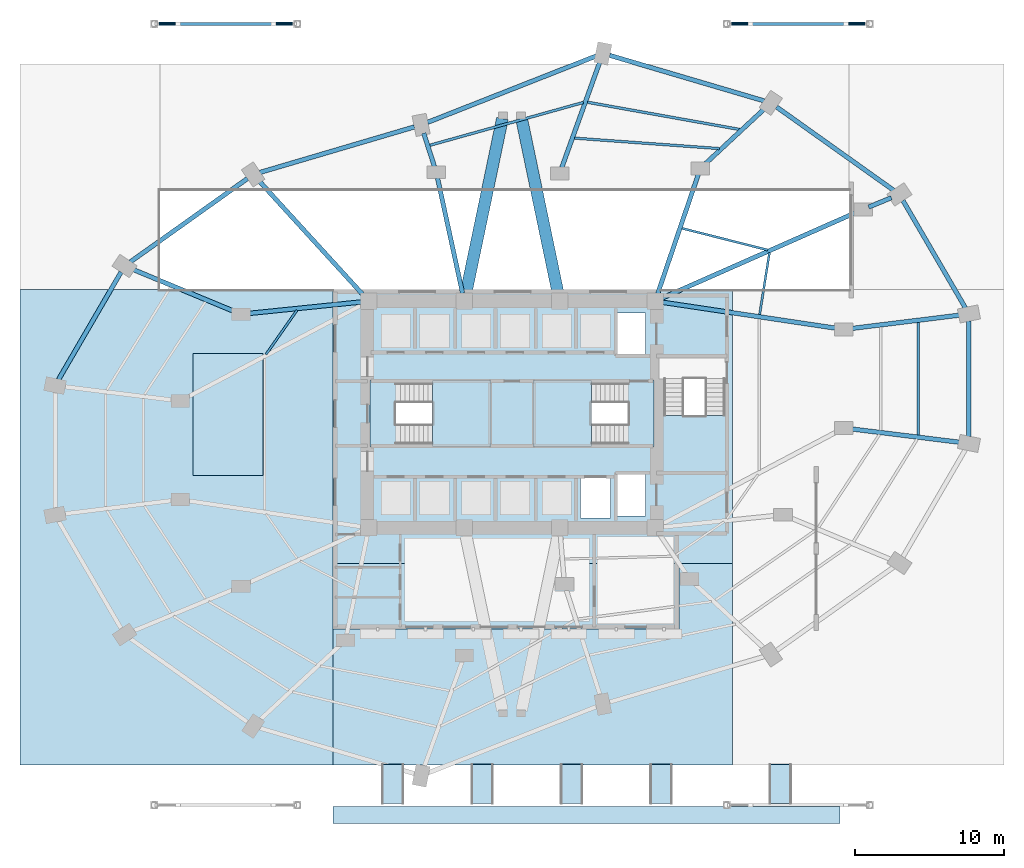
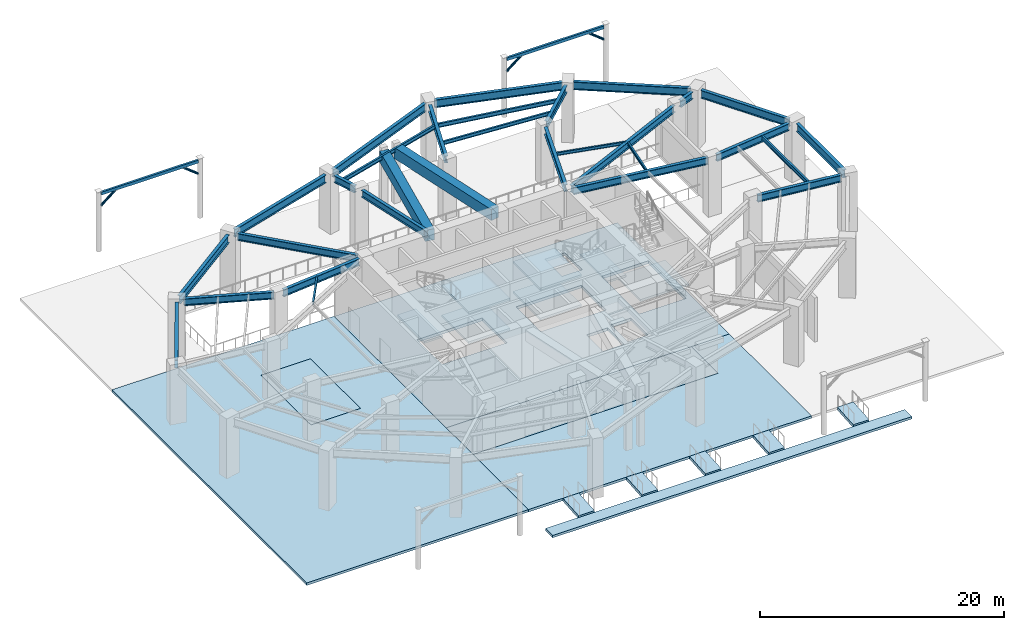
# One storey, part 6 of 14: 32 beams, 18 slabs, 4 members, 3 elements without a shape of their own.
"""IFC4 building model written with IfcOpenShell, lengths in metres."""

from ifc_helpers import new_model, si_unit, direction, frame, origin, origin_2d, place, context, subcontext, project, spatial, polyline, rectangle, hollow_rectangle, hollow_circle, i_section, outline, extrude, material, layer, layer_set, material_profile, profile_set, type_object, element, aggregate, save


model = new_model("IFC4")

# Units and contexts
model_context = context("Model", 3, precision=1e-05, world=origin(), true_north=direction((0.0, 1.0)))
body_context = subcontext(model_context, "Body", "Model", "MODEL_VIEW")
ifc_project = project(units=[si_unit("LENGTHUNIT", "METRE"), si_unit("AREAUNIT", "SQUARE_METRE"), si_unit("VOLUMEUNIT", "CUBIC_METRE"), si_unit("PLANEANGLEUNIT", "RADIAN"), si_unit("MASSUNIT", "GRAM", prefix="KILO")], contexts=[model_context])

# Site, building, storey
site_placement = place(None, origin())
site = spatial("IfcSite", under=ifc_project, at=site_placement, CompositionType="ELEMENT")
building_placement = place(site_placement, origin())
building = spatial("IfcBuilding", under=site, at=building_placement, Name="Lazwardi Medical Tower", CompositionType="ELEMENT")
storey_placement = place(building_placement, origin())
storey = spatial("IfcBuildingStorey", under=building, at=storey_placement, Name="L00", CompositionType="ELEMENT", Elevation=0.0)

# Beams
ifc_material_1 = material(Name="Concrete C70/85", Category="concrete")
ifc_material_profile_1 = material_profile(ifc_material_1, rectangle(XDim=0.800048828125, YDim=1.10009765625, at=origin_2d()), Name="RC 800x1100")
ifc_profile_set_1 = profile_set([ifc_material_profile_1], Name="Concrete C70/85")
beam_type_1 = type_object("IfcBeamType", Name="BM-CB-RC1", PredefinedType="LINTEL", material=ifc_profile_set_1)
for number, where, z_axis, x_axis, name in (
    (1, (32.909423828125, 36.123779296875, 5.169921875), (0.204429747009, 0.978881238219, 0.0), (-0.978881238219, 0.204429747009, 0.0), "Core coupling lintel CB-01 PL1 L00"),
    (2, (39.090576171875, 36.123779296875, 5.169921875), (-0.204429747009, 0.978881238219, 0.0), (-0.978881238219, -0.204429747009, 0.0), "Core coupling lintel CB-01 PL2 L00"),
):
    element("IfcBeam", number, at=place(storey_placement, frame(where, z_axis=z_axis, x_axis=x_axis)), inside=storey, type_object=beam_type_1, Name=name, PredefinedType="LINTEL", context=body_context, shape_type="SweptSolid", body=[
        extrude(rectangle(XDim=0.800048828125, YDim=1.10009765625, at=origin_2d()), origin(), (0.0, 0.0, 1.0), 11.9736328125),
    ])
ifc_material_2 = material(Name="Steel S355", Category="steel")
ifc_material_profile_2 = material_profile(ifc_material_2, hollow_rectangle(XDim=0.199951171875, YDim=0.300048828125, WallThickness=0.012451171875, at=origin_2d()), Name="RHS 300x200x12.5")
ifc_profile_set_2 = profile_set([ifc_material_profile_2], Name="Steel S355")
beam_type_2 = type_object("IfcBeamType", Name="BM-CN-01", PredefinedType="BEAM", material=ifc_profile_set_2)
for number, where, z_axis, x_axis, name in (
    (3, (12.199951171875, 54.199951171875, 5.64990234375), (1.0, 0.0, 0.0), (0.0, 1.0, 0.0), "Entrance canopy beam CN-B1 CNB3"),
    (4, (50.60009765625, 54.199951171875, 5.64990234375), (1.0, 0.0, 0.0), (0.0, 1.0, 0.0), "Entrance canopy beam CN-B1 CNB4"),
):
    element("IfcBeam", number, at=place(storey_placement, frame(where, z_axis=z_axis, x_axis=x_axis)), inside=storey, type_object=beam_type_2, Name=name, PredefinedType="BEAM", context=body_context, shape_type="SweptSolid", body=[
        extrude(hollow_rectangle(XDim=0.199951171875, YDim=0.300048828125, WallThickness=0.012451171875, at=origin_2d()), origin(), (0.0, 0.0, 1.0), 9.199951171875),
    ])
ifc_material_profile_3 = material_profile(ifc_material_2, i_section(OverallWidth=0.300048828125, OverallDepth=0.800048828125, WebThickness=0.017578125, FlangeThickness=0.032958984375, at=origin_2d()), Name="HEB 800")
ifc_profile_set_3 = profile_set([ifc_material_profile_3], Name="Steel S355")
beam_type_3 = type_object("IfcBeamType", Name="BM-RB-P1", PredefinedType="BEAM", material=ifc_profile_set_3)
beam_1_placement = place(storey_placement, frame((66.6494140625, 26.529296875, 5.320068359375), z_axis=(0.0, 1.0, 0.0), x_axis=(-1.0, 0.0, 0.0)))
element("IfcBeam", 5, at=beam_1_placement, inside=storey, type_object=beam_type_3, Name="Ring beam RB-01 B04 L00", PredefinedType="BEAM", context=body_context, shape_type="SweptSolid", body=[
    extrude(i_section(OverallWidth=0.300048828125, OverallDepth=0.800048828125, WebThickness=0.017578125, FlangeThickness=0.032958984375, at=origin_2d()), origin(), (0.0, 0.0, 1.0), 7.741455078125),
])
beam_2_placement = place(storey_placement, frame((66.4130859375, 35.147216796875, 5.320068359375), z_axis=(-0.502871307237, 0.864361295037, 0.0), x_axis=(-0.864361295037, -0.502871307237, 0.0)))
element("IfcBeam", 6, at=beam_2_placement, inside=storey, type_object=beam_type_3, Name="Ring beam RB-01 B05 L00", PredefinedType="BEAM", context=body_context, shape_type="SweptSolid", body=[
    extrude(i_section(OverallWidth=0.300048828125, OverallDepth=0.800048828125, WebThickness=0.017578125, FlangeThickness=0.032958984375, at=origin_2d()), origin(), (0.0, 0.0, 1.0), 8.3388671875),
])
beam_3_placement = place(storey_placement, frame((61.6005859375, 43.033935546875, 5.320068359375), z_axis=(-0.814606597705, 0.580013871364, 0.0), x_axis=(-0.580013871364, -0.814606597705, 0.0)))
element("IfcBeam", 7, at=beam_3_placement, inside=storey, type_object=beam_type_3, Name="Ring beam RB-01 B06 L00", PredefinedType="BEAM", context=body_context, shape_type="SweptSolid", body=[
    extrude(i_section(OverallWidth=0.300048828125, OverallDepth=0.800048828125, WebThickness=0.017578125, FlangeThickness=0.032958984375, at=origin_2d()), origin(), (0.0, 0.0, 1.0), 9.644287109375),
])
beam_4_placement = place(storey_placement, frame((52.910888671875, 49.033203125, 5.320068359375), z_axis=(-0.959157275854, 0.282873328852, 0.0), x_axis=(-0.282873328852, -0.959157275854, 0.0)))
element("IfcBeam", 8, at=beam_4_placement, inside=storey, type_object=beam_type_3, Name="Ring beam RB-01 B07 L00", PredefinedType="BEAM", context=body_context, shape_type="SweptSolid", body=[
    extrude(i_section(OverallWidth=0.300048828125, OverallDepth=0.800048828125, WebThickness=0.017578125, FlangeThickness=0.032958984375, at=origin_2d()), origin(), (0.0, 0.0, 1.0), 10.804931640625),
])
beam_5_placement = place(storey_placement, frame((41.6591796875, 52.05029296875, 5.320068359375), z_axis=(-0.930497552563, -0.366298109022, 0.0), x_axis=(0.366298109022, -0.930497552563, 0.0)))
element("IfcBeam", 9, at=beam_5_placement, inside=storey, type_object=beam_type_3, Name="Ring beam RB-01 B08 L00", PredefinedType="BEAM", context=body_context, shape_type="SweptSolid", body=[
    extrude(i_section(OverallWidth=0.300048828125, OverallDepth=0.800048828125, WebThickness=0.017578125, FlangeThickness=0.032958984375, at=origin_2d()), origin(), (0.0, 0.0, 1.0), 12.163818359375),
])
beam_6_placement = place(storey_placement, frame((29.45263671875, 47.28955078125, 5.320068359375), z_axis=(-0.959157275854, -0.282873328852, 0.0), x_axis=(0.282873328852, -0.959157275854, 0.0)))
element("IfcBeam", 10, at=beam_6_placement, inside=storey, type_object=beam_type_3, Name="Ring beam RB-01 B09 L00", PredefinedType="BEAM", context=body_context, shape_type="SweptSolid", body=[
    extrude(i_section(OverallWidth=0.300048828125, OverallDepth=0.800048828125, WebThickness=0.017578125, FlangeThickness=0.032958984375, at=origin_2d()), origin(), (0.0, 0.0, 1.0), 10.804931640625),
])
beam_7_placement = place(storey_placement, frame((18.255615234375, 43.82763671875, 5.320068359375), z_axis=(-0.814606597705, -0.580013871364, 0.0), x_axis=(0.580013871364, -0.814606597705, 0.0)))
element("IfcBeam", 11, at=beam_7_placement, inside=storey, type_object=beam_type_3, Name="Ring beam RB-01 B10 L00", PredefinedType="BEAM", context=body_context, shape_type="SweptSolid", body=[
    extrude(i_section(OverallWidth=0.300048828125, OverallDepth=0.800048828125, WebThickness=0.017578125, FlangeThickness=0.032958984375, at=origin_2d()), origin(), (0.0, 0.0, 1.0), 9.644287109375),
])
beam_8_placement = place(storey_placement, frame((9.7802734375, 37.55517578125, 5.320068359375), z_axis=(-0.502858581649, -0.864368698451, 0.0), x_axis=(0.864368698451, -0.502858581649, 0.0)))
element("IfcBeam", 12, at=beam_8_placement, inside=storey, type_object=beam_type_3, Name="Ring beam RB-01 B11 L00", PredefinedType="BEAM", context=body_context, shape_type="SweptSolid", body=[
    extrude(i_section(OverallWidth=0.300048828125, OverallDepth=0.800048828125, WebThickness=0.017578125, FlangeThickness=0.032958984375, at=origin_2d()), origin(), (0.0, 0.0, 1.0), 8.339111328125),
])
ifc_material_profile_4 = material_profile(ifc_material_2, i_section(OverallWidth=0.300048828125, OverallDepth=0.699951171875, WebThickness=0.01708984375, FlangeThickness=0.031982421875, at=origin_2d()), Name="HEB 700")
ifc_profile_set_4 = profile_set([ifc_material_profile_4], Name="Steel S355")
beam_type_4 = type_object("IfcBeamType", Name="BM-RG-P1", PredefinedType="BEAM", material=ifc_profile_set_4)
for number, where, z_axis, x_axis, name in (
    (13, (66.073974609375, 26.130126953125, 5.3701171875), (-0.992473718921, 0.122457818256, 0.0), (-0.122457818256, -0.992473718921, 0.0), "Radial girder RG-01 R04A L00"),
    (14, (66.073974609375, 34.669921875, 5.3701171875), (-0.992469746422, -0.122490009536, 0.0), (0.122490009536, -0.992469746422, 0.0), "Radial girder RG-01 R05A L00"),
):
    element("IfcBeam", number, at=place(storey_placement, frame(where, z_axis=z_axis, x_axis=x_axis)), inside=storey, type_object=beam_type_4, Name=name, PredefinedType="BEAM", context=body_context, shape_type="SweptSolid", body=[
        extrude(i_section(OverallWidth=0.300048828125, OverallDepth=0.699951171875, WebThickness=0.01708984375, FlangeThickness=0.031982421875, at=origin_2d()), origin(), (0.0, 0.0, 1.0), 7.47021484375),
    ])
beam_9_placement = place(storey_placement, frame((57.867431640625, 33.76513671875, 5.3701171875), z_axis=(-0.988996622553, 0.147938097117, 0.0), x_axis=(-0.147938097117, -0.988996622553, 0.0)))
element("IfcBeam", 15, at=beam_9_placement, inside=storey, type_object=beam_type_4, Name="Radial girder RG-01 R05B L00", PredefinedType="BEAM", context=body_context, shape_type="SweptSolid", body=[
    extrude(i_section(OverallWidth=0.300048828125, OverallDepth=0.699951171875, WebThickness=0.01708984375, FlangeThickness=0.031982421875, at=origin_2d()), origin(), (0.0, 0.0, 1.0), 11.868896484375),
])
beam_10_placement = place(storey_placement, frame((61.447021484375, 42.540771484375, 5.3701171875), z_axis=(-0.924708712227, -0.380675449078, 0.0), x_axis=(0.380675449078, -0.924708712227, 0.0)))
element("IfcBeam", 16, at=beam_10_placement, inside=storey, type_object=beam_type_4, Name="Radial girder RG-01 R06A L00", PredefinedType="BEAM", context=body_context, shape_type="SweptSolid", body=[
    extrude(i_section(OverallWidth=0.300048828125, OverallDepth=0.699951171875, WebThickness=0.01708984375, FlangeThickness=0.031982421875, at=origin_2d()), origin(), (0.0, 0.0, 1.0), 1.6513671875),
])
beam_11_placement = place(storey_placement, frame((59.18408203125, 41.598388671875, 5.3701171875), z_axis=(-0.914785112543, -0.403940834616, 0.0), x_axis=(0.403940834616, -0.914785112543, 0.0)))
element("IfcBeam", 17, at=beam_11_placement, inside=storey, type_object=beam_type_4, Name="Radial girder RG-01 R06B L00", PredefinedType="BEAM", context=body_context, shape_type="SweptSolid", body=[
    extrude(i_section(OverallWidth=0.300048828125, OverallDepth=0.699951171875, WebThickness=0.01708984375, FlangeThickness=0.031982421875, at=origin_2d()), origin(), (0.0, 0.0, 1.0), 14.314453125),
])
beam_12_placement = place(storey_placement, frame((52.9365234375, 48.505615234375, 5.3701171875), z_axis=(-0.732769653895, -0.680476769869, 0.0), x_axis=(0.680476769869, -0.732769653895, 0.0)))
element("IfcBeam", 18, at=beam_12_placement, inside=storey, type_object=beam_type_4, Name="Radial girder RG-01 R07A L00", PredefinedType="BEAM", context=body_context, shape_type="SweptSolid", body=[
    extrude(i_section(OverallWidth=0.300048828125, OverallDepth=0.699951171875, WebThickness=0.01708984375, FlangeThickness=0.031982421875, at=origin_2d()), origin(), (0.0, 0.0, 1.0), 5.4716796875),
])
beam_13_placement = place(storey_placement, frame((48.505126953125, 44.13134765625, 5.3701171875), z_axis=(-0.322346711858, -0.946621675937, 0.0), x_axis=(0.946621675937, -0.322346711858, 0.0)))
element("IfcBeam", 19, at=beam_13_placement, inside=storey, type_object=beam_type_4, Name="Radial girder RG-01 R07B L00", PredefinedType="BEAM", context=body_context, shape_type="SweptSolid", body=[
    extrude(i_section(OverallWidth=0.300048828125, OverallDepth=0.699951171875, WebThickness=0.01708984375, FlangeThickness=0.031982421875, at=origin_2d()), origin(), (0.0, 0.0, 1.0), 8.477294921875),
])
beam_14_placement = place(storey_placement, frame((41.900146484375, 51.6767578125, 5.3701171875), z_axis=(-0.338673803149, -0.940903850062, 0.0), x_axis=(0.940903850062, -0.338673803149, 0.0)))
element("IfcBeam", 20, at=beam_14_placement, inside=storey, type_object=beam_type_4, Name="Radial girder RG-01 R08A L00", PredefinedType="BEAM", context=body_context, shape_type="SweptSolid", body=[
    extrude(i_section(OverallWidth=0.300048828125, OverallDepth=0.699951171875, WebThickness=0.01708984375, FlangeThickness=0.031982421875, at=origin_2d()), origin(), (0.0, 0.0, 1.0), 7.57275390625),
])
beam_15_placement = place(storey_placement, frame((30.080322265625, 46.8701171875, 5.3701171875), z_axis=(0.305148668561, -0.95230472543, 0.0), x_axis=(0.95230472543, 0.305148668561, 0.0)))
element("IfcBeam", 21, at=beam_15_placement, inside=storey, type_object=beam_type_4, Name="Radial girder RG-01 R09A L00", PredefinedType="BEAM", context=body_context, shape_type="SweptSolid", body=[
    extrude(i_section(OverallWidth=0.300048828125, OverallDepth=0.699951171875, WebThickness=0.01708984375, FlangeThickness=0.031982421875, at=origin_2d()), origin(), (0.0, 0.0, 1.0), 2.351318359375),
])
beam_16_placement = place(storey_placement, frame((31.0048828125, 43.859130859375, 5.3701171875), z_axis=(0.212379713587, -0.977187217096, 0.0), x_axis=(0.977187217096, 0.212379713587, 0.0)))
element("IfcBeam", 22, at=beam_16_placement, inside=storey, type_object=beam_type_4, Name="Radial girder RG-01 R09B L00", PredefinedType="BEAM", context=body_context, shape_type="SweptSolid", body=[
    extrude(i_section(OverallWidth=0.300048828125, OverallDepth=0.699951171875, WebThickness=0.01708984375, FlangeThickness=0.031982421875, at=origin_2d()), origin(), (0.0, 0.0, 1.0), 7.9169921875),
])
beam_17_placement = place(storey_placement, frame((19.029541015625, 43.671875, 5.3701171875), z_axis=(0.674298320137, -0.738459054695, 0.0), x_axis=(0.738459054695, 0.674298320137, 0.0)))
element("IfcBeam", 23, at=beam_17_placement, inside=storey, type_object=beam_type_4, Name="Radial girder RG-01 R10 L00", PredefinedType="BEAM", context=body_context, shape_type="SweptSolid", body=[
    extrude(i_section(OverallWidth=0.300048828125, OverallDepth=0.699951171875, WebThickness=0.01708984375, FlangeThickness=0.031982421875, at=origin_2d()), origin(), (0.0, 0.0, 1.0), 10.395751953125),
])
beam_18_placement = place(storey_placement, frame((10.552490234375, 37.7392578125, 5.3701171875), z_axis=(0.923712783484, -0.383085752318, 0.0), x_axis=(0.383085752318, 0.923712783484, 0.0)))
element("IfcBeam", 24, at=beam_18_placement, inside=storey, type_object=beam_type_4, Name="Radial girder RG-01 R11A L00", PredefinedType="BEAM", context=body_context, shape_type="SweptSolid", body=[
    extrude(i_section(OverallWidth=0.300048828125, OverallDepth=0.699951171875, WebThickness=0.01708984375, FlangeThickness=0.031982421875, at=origin_2d()), origin(), (0.0, 0.0, 1.0), 7.47119140625),
])
beam_19_placement = place(storey_placement, frame((18.220947265625, 34.7646484375, 5.3701171875), z_axis=(0.994824908551, 0.101604140299, 0.0), x_axis=(-0.101604140299, 0.994824908551, 0.0)))
element("IfcBeam", 25, at=beam_19_placement, inside=storey, type_object=beam_type_4, Name="Radial girder RG-01 R11B L00", PredefinedType="BEAM", context=body_context, shape_type="SweptSolid", body=[
    extrude(i_section(OverallWidth=0.300048828125, OverallDepth=0.699951171875, WebThickness=0.01708984375, FlangeThickness=0.031982421875, at=origin_2d()), origin(), (0.0, 0.0, 1.0), 7.686767578125),
])
ifc_material_profile_5 = material_profile(ifc_material_2, i_section(OverallWidth=0.179931640625, OverallDepth=0.39990234375, WebThickness=0.008544921875, FlangeThickness=0.013427734375, at=origin_2d()), Name="IPE 400")
ifc_profile_set_5 = profile_set([ifc_material_profile_5], Name="Steel S355")
beam_type_5 = type_object("IfcBeamType", Name="BM-SJ-01", PredefinedType="JOIST", material=ifc_profile_set_5)
beam_20_placement = place(storey_placement, frame((63.256591796875, 26.622802734375, 5.52001953125), z_axis=(0.0, 1.0, 0.0), x_axis=(-1.0, 0.0, 0.0)))
element("IfcBeam", 26, at=beam_20_placement, inside=storey, type_object=beam_type_5, Name="Secondary joist SJ-01 RO1 B04 L00", PredefinedType="JOIST", context=body_context, shape_type="SweptSolid", body=[
    extrude(i_section(OverallWidth=0.179931640625, OverallDepth=0.39990234375, WebThickness=0.008544921875, FlangeThickness=0.013427734375, at=origin_2d()), origin(), (0.0, 0.0, 1.0), 7.554443359375),
])
beam_21_placement = place(storey_placement, frame((51.270263671875, 47.1162109375, 5.52001953125), z_axis=(-0.984333531448, 0.176316473613, 0.0), x_axis=(-0.176316473613, -0.984333531448, 0.0)))
element("IfcBeam", 27, at=beam_21_placement, inside=storey, type_object=beam_type_5, Name="Secondary joist SJ-01 RO1 B07 L00", PredefinedType="JOIST", context=body_context, shape_type="SweptSolid", body=[
    extrude(i_section(OverallWidth=0.179931640625, OverallDepth=0.39990234375, WebThickness=0.008544921875, FlangeThickness=0.013427734375, at=origin_2d()), origin(), (0.0, 0.0, 1.0), 10.3642578125),
])
beam_22_placement = place(storey_placement, frame((40.785888671875, 48.93017578125, 5.52001953125), z_axis=(-0.963207305089, -0.268759534571, 0.0), x_axis=(0.268759534571, -0.963207305089, 0.0)))
element("IfcBeam", 28, at=beam_22_placement, inside=storey, type_object=beam_type_5, Name="Secondary joist SJ-01 RO1 B08 L00", PredefinedType="JOIST", context=body_context, shape_type="SweptSolid", body=[
    extrude(i_section(OverallWidth=0.179931640625, OverallDepth=0.39990234375, WebThickness=0.008544921875, FlangeThickness=0.013427734375, at=origin_2d()), origin(), (0.0, 0.0, 1.0), 10.686279296875),
])
ifc_material_profile_6 = material_profile(ifc_material_2, i_section(OverallWidth=0.169921875, OverallDepth=0.360107421875, WebThickness=0.008056640625, FlangeThickness=0.0126953125, at=origin_2d()), Name="IPE 360")
ifc_profile_set_6 = profile_set([ifc_material_profile_6], Name="Steel S355")
beam_type_6 = type_object("IfcBeamType", Name="BM-SJ-02", PredefinedType="JOIST", material=ifc_profile_set_6)
beam_23_placement = place(storey_placement, frame((49.905029296875, 45.835205078125, 5.5400390625), z_axis=(-0.997403004929, 0.072022536461, 0.0), x_axis=(-0.072022536461, -0.997403004929, 0.0)))
element("IfcBeam", 29, at=beam_23_placement, inside=storey, type_object=beam_type_6, Name="Secondary joist SJ-02 RO2 B07 L00", PredefinedType="JOIST", context=body_context, shape_type="SweptSolid", body=[
    extrude(i_section(OverallWidth=0.169921875, OverallDepth=0.360107421875, WebThickness=0.008056640625, FlangeThickness=0.0126953125, at=origin_2d()), origin(), (0.0, 0.0, 1.0), 9.732177734375),
])
ifc_material_profile_7 = material_profile(ifc_material_2, i_section(OverallWidth=0.14990234375, OverallDepth=0.300048828125, WebThickness=0.007080078125, FlangeThickness=0.0107421875, at=origin_2d()), Name="IPE 300")
ifc_profile_set_7 = profile_set([ifc_material_profile_7], Name="Steel S355")
beam_type_7 = type_object("IfcBeamType", Name="BM-SJ-03", PredefinedType="JOIST", material=ifc_profile_set_7)
beam_24_placement = place(storey_placement, frame((52.60791015625, 34.698486328125, 5.570068359375), z_axis=(0.15709189447, 0.98758398969, 0.0), x_axis=(-0.98758398969, 0.15709189447, 0.0)))
element("IfcBeam", 30, at=beam_24_placement, inside=storey, type_object=beam_type_7, Name="Secondary joist SJ-03 RI1 B05 L00", PredefinedType="JOIST", context=body_context, shape_type="SweptSolid", body=[
    extrude(i_section(OverallWidth=0.14990234375, OverallDepth=0.300048828125, WebThickness=0.007080078125, FlangeThickness=0.0107421875, at=origin_2d()), origin(), (0.0, 0.0, 1.0), 4.20703125),
])
beam_25_placement = place(storey_placement, frame((53.15087890625, 39.031982421875, 5.570068359375), z_axis=(-0.969385296143, 0.245544593957, 0.0), x_axis=(-0.245544593957, -0.969385296143, 0.0)))
element("IfcBeam", 31, at=beam_25_placement, inside=storey, type_object=beam_type_7, Name="Secondary joist SJ-03 RI1 B06 L00", PredefinedType="JOIST", context=body_context, shape_type="SweptSolid", body=[
    extrude(i_section(OverallWidth=0.14990234375, OverallDepth=0.300048828125, WebThickness=0.007080078125, FlangeThickness=0.0107421875, at=origin_2d()), origin(), (0.0, 0.0, 1.0), 5.916015625),
])
beam_26_placement = place(storey_placement, frame((21.578857421875, 34.997314453125, 5.570068359375), z_axis=(-0.573439745267, -0.819247739422, 0.0), x_axis=(0.819247739422, -0.573439745267, 0.0)))
element("IfcBeam", 32, at=beam_26_placement, inside=storey, type_object=beam_type_7, Name="Secondary joist SJ-03 RI1 B11 L00", PredefinedType="JOIST", context=body_context, shape_type="SweptSolid", body=[
    extrude(i_section(OverallWidth=0.14990234375, OverallDepth=0.300048828125, WebThickness=0.007080078125, FlangeThickness=0.0107421875, at=origin_2d()), origin(), (0.0, 0.0, 1.0), 3.625244140625),
])

# Members
ifc_material_profile_8 = material_profile(ifc_material_2, hollow_circle(Radius=0.109619140625, WallThickness=0.010009765625, at=origin_2d()), Name="CHS 219.1x10")
ifc_profile_set_8 = profile_set([ifc_material_profile_8], Name="Steel S355")
member_type = type_object("IfcMemberType", Name="MEM-CN-BR", PredefinedType="BRACE", material=ifc_profile_set_8)
for number, where, z_axis, x_axis, name in (
    (33, (12.195068359375, 54.199951171875, 4.39990234375), (0.786038628133, 0.0, 0.618177381569), (0.0, 1.0, 0.0), "Entrance canopy brace CN-BR1 CNB3A"),
    (34, (21.405029296875, 54.199951171875, 4.39990234375), (-0.786038628133, 0.0, 0.618177381569), (0.0, -1.0, 0.0), "Entrance canopy brace CN-BR1 CNB3B"),
    (35, (50.594970703125, 54.199951171875, 4.39990234375), (0.786038628133, 0.0, 0.618177381569), (0.0, 1.0, 0.0), "Entrance canopy brace CN-BR1 CNB4A"),
    (36, (59.804931640625, 54.199951171875, 4.39990234375), (-0.786038628133, 0.0, 0.618177381569), (0.0, -1.0, 0.0), "Entrance canopy brace CN-BR1 CNB4B"),
):
    element("IfcMember", number, at=place(storey_placement, frame(where, z_axis=z_axis, x_axis=x_axis)), inside=storey, type_object=member_type, Name=name, PredefinedType="BRACE", context=body_context, shape_type="SweptSolid", body=[
        extrude(hollow_circle(Radius=0.109619140625, WallThickness=0.010009765625, at=origin_2d()), origin(), (0.0, 0.0, 1.0), 1.78759765625),
    ])

# Stair, slabs
ifc_material_3 = material(Name="Concrete C45/55", Category="concrete")
stair_type = type_object("IfcStairType", Name="STR-L00", PredefinedType="HALF_TURN_STAIR", material=ifc_material_3)
stair_1_placement = place(storey_placement, origin())
stair_1 = element("IfcStair", 37, at=stair_1_placement, inside=storey, type_object=stair_type, Name="L00 Protected Exit Stair ST1", PredefinedType="HALF_TURN_STAIR")
ifc_layer_1 = layer(ifc_material_3, 0.199951171875)
ifc_layer_set_1 = layer_set([ifc_layer_1], Name="Concrete C45/55")
slab_type_1 = type_object("IfcSlabType", Name="SLB-LND-190", PredefinedType="LANDING", material=ifc_layer_set_1)
slab_1_placement = place(storey_placement, frame((0.0, 0.0, 1.300048828125)))
slab_1 = element("IfcSlab", 38, at=slab_1_placement, type_object=slab_type_1, Name="ST1 landing 1", PredefinedType="LANDING", context=body_context, shape_type="SweptSolid", body=[
    extrude(outline(polyline([(30.655029296875, 25.840087890625), (34.580078125, 25.840087890625), (34.580078125, 30.280029296875), (30.655029296875, 30.280029296875), (30.655029296875, 25.840087890625)])), origin(), (0.0, 0.0, 1.0), 0.199951171875),
])
slab_2_placement = place(storey_placement, frame((0.0, 0.0, 2.800048828125)))
slab_2 = element("IfcSlab", 39, at=slab_2_placement, type_object=slab_type_1, Name="ST1 landing 2", PredefinedType="LANDING", context=body_context, shape_type="SweptSolid", body=[
    extrude(outline(polyline([(26.47998046875, 25.840087890625), (28.22509765625, 25.840087890625), (28.22509765625, 30.280029296875), (26.47998046875, 30.280029296875), (26.47998046875, 25.840087890625)])), origin(), (0.0, 0.0, 1.0), 0.199951171875),
])
slab_3_placement = place(storey_placement, frame((0.0, 0.0, 4.300048828125)))
slab_3 = element("IfcSlab", 40, at=slab_3_placement, type_object=slab_type_1, Name="ST1 landing 3", PredefinedType="LANDING", context=body_context, shape_type="SweptSolid", body=[
    extrude(outline(polyline([(30.655029296875, 25.840087890625), (34.580078125, 25.840087890625), (34.580078125, 30.280029296875), (30.655029296875, 30.280029296875), (30.655029296875, 25.840087890625)])), origin(), (0.0, 0.0, 1.0), 0.199951171875),
])
aggregate(stair_1, [slab_1, slab_2, slab_3])

stair_2_placement = place(storey_placement, origin())
stair_2 = element("IfcStair", 41, at=stair_2_placement, inside=storey, type_object=stair_type, Name="L00 Protected Exit Stair ST2", PredefinedType="HALF_TURN_STAIR")
slab_4_placement = place(storey_placement, frame((0.0, 0.0, 1.300048828125)))
slab_4 = element("IfcSlab", 42, at=slab_4_placement, type_object=slab_type_1, Name="ST2 landing 1", PredefinedType="LANDING", context=body_context, shape_type="SweptSolid", body=[
    extrude(outline(polyline([(41.344970703125, 30.280029296875), (37.419921875, 30.280029296875), (37.419921875, 25.840087890625), (41.344970703125, 25.840087890625), (41.344970703125, 30.280029296875)])), origin(), (0.0, 0.0, 1.0), 0.199951171875),
])
slab_5_placement = place(storey_placement, frame((0.0, 0.0, 2.800048828125)))
slab_5 = element("IfcSlab", 43, at=slab_5_placement, type_object=slab_type_1, Name="ST2 landing 2", PredefinedType="LANDING", context=body_context, shape_type="SweptSolid", body=[
    extrude(outline(polyline([(45.52001953125, 30.280029296875), (43.77490234375, 30.280029296875), (43.77490234375, 25.840087890625), (45.52001953125, 25.840087890625), (45.52001953125, 30.280029296875)])), origin(), (0.0, 0.0, 1.0), 0.199951171875),
])
slab_6_placement = place(storey_placement, frame((0.0, 0.0, 4.300048828125)))
slab_6 = element("IfcSlab", 44, at=slab_6_placement, type_object=slab_type_1, Name="ST2 landing 3", PredefinedType="LANDING", context=body_context, shape_type="SweptSolid", body=[
    extrude(outline(polyline([(41.344970703125, 30.280029296875), (37.419921875, 30.280029296875), (37.419921875, 25.840087890625), (41.344970703125, 25.840087890625), (41.344970703125, 30.280029296875)])), origin(), (0.0, 0.0, 1.0), 0.199951171875),
])
aggregate(stair_2, [slab_4, slab_5, slab_6])

# Stair, slab
stair_3_placement = place(storey_placement, origin())
stair_3 = element("IfcStair", 45, at=stair_3_placement, inside=storey, type_object=stair_type, Name="L00 Protected Exit Stair ST3", PredefinedType="HALF_TURN_STAIR")
slab_7_placement = place(storey_placement, frame((0.0, 0.0, 1.300048828125)))
slab_7 = element("IfcSlab", 46, at=slab_7_placement, type_object=slab_type_1, Name="ST3 landing 1", PredefinedType="LANDING", context=body_context, shape_type="SweptSolid", body=[
    extrude(outline(polyline([(45.860107421875, 27.945068359375), (45.860107421875, 24.02001953125), (50.4599609375, 24.02001953125), (50.4599609375, 27.945068359375), (45.860107421875, 27.945068359375)])), origin(), (0.0, 0.0, 1.0), 0.199951171875),
])
aggregate(stair_3, [slab_7])

# Slabs
ifc_material_4 = material(Name="Precast Concrete C35/45 granite paving", Category="masonry")
ifc_layer_2 = layer(ifc_material_4, 0.239990234375)
ifc_layer_set_2 = layer_set([ifc_layer_2], Name="Precast Concrete C35/45 granite paving")
slab_type_2 = type_object("IfcSlabType", Name="SLB-PAV-240", PredefinedType="USERDEFINED", material=ifc_layer_set_2)
slab_8_placement = place(storey_placement, frame((0.0, 0.0, -0.239990234375)))
element("IfcSlab", 47, at=slab_8_placement, inside=storey, type_object=slab_type_2, Name="L00 Tropical Plaza Paving WEST 1", ObjectType="PAVING", PredefinedType="USERDEFINED", context=body_context, shape_type="SweptSolid", body=[
    extrude(outline(polyline([(24.0, 13.60009765625), (24.0, 18.0), (24.0, 36.3798828125), (24.0, 36.39990234375), (12.39990234375, 36.39990234375), (3.0, 36.39990234375), (3.0, 4.5), (24.0, 4.5), (24.0, 13.60009765625)]), holes=[polyline([(14.60009765625, 32.10009765625), (19.300048828125, 32.10009765625), (19.300048828125, 23.89990234375), (14.60009765625, 23.89990234375), (14.60009765625, 32.10009765625)])]), origin(), (0.0, 0.0, 1.0), 0.239990234375),
])
slab_9_placement = place(storey_placement, frame((0.0, 0.0, -0.239990234375)))
element("IfcSlab", 48, at=slab_9_placement, inside=storey, type_object=slab_type_2, Name="L00 Tropical Plaza Paving SOUTH 1", ObjectType="PAVING", PredefinedType="USERDEFINED", context=body_context, shape_type="SweptSolid", body=[
    extrude(outline(polyline([(50.800048828125, 18.0), (47.199951171875, 18.0), (47.199951171875, 13.60009765625), (24.0, 13.60009765625), (24.0, 4.5), (50.800048828125, 4.5), (50.800048828125, 18.0)])), origin(), (0.0, 0.0, 1.0), 0.239990234375),
])
slab_10_placement = place(storey_placement, frame((0.0, 0.0, -0.43994140625)))
element("IfcSlab", 49, at=slab_10_placement, inside=storey, type_object=slab_type_2, Name="L00 Street Drop-Off Paving Apron", ObjectType="PAVING", PredefinedType="USERDEFINED", context=body_context, shape_type="SweptSolid", body=[
    extrude(outline(polyline([(24.0, 0.550048828125), (58.0, 0.550048828125), (58.0, 1.719970703125), (24.0, 1.719970703125), (24.0, 0.550048828125)])), origin(), (0.0, 0.0, 1.0), 0.239990234375),
])
ifc_material_5 = material(Name="Concrete C50/60", Category="concrete")
ifc_layer_3 = layer(ifc_material_5, 0.280029296875)
ifc_layer_set_3 = layer_set([ifc_layer_3], Name="Concrete C50/60")
slab_type_3 = type_object("IfcSlabType", Name="SLB-POD-280", PredefinedType="FLOOR", material=ifc_layer_set_3)
slab_11_placement = place(storey_placement, frame((0.0, 0.0, -0.280029296875)))
element("IfcSlab", 50, at=slab_11_placement, inside=storey, type_object=slab_type_3, Name="Ground lobby structural floor slab SF-01 L00", PredefinedType="FLOOR", context=body_context, shape_type="SweptSolid", body=[
    extrude(outline(polyline([(24.0, 18.0), (50.800048828125, 18.0), (50.800048828125, 36.3798828125), (24.0, 36.3798828125), (24.0, 18.0)]), holes=[polyline([(28.22509765625, 26.02001953125), (28.22509765625, 30.10009765625), (34.39990234375, 30.10009765625), (34.39990234375, 26.02001953125), (28.22509765625, 26.02001953125)]), polyline([(37.60009765625, 26.02001953125), (37.60009765625, 30.10009765625), (43.77490234375, 30.10009765625), (43.77490234375, 26.02001953125), (37.60009765625, 26.02001953125)]), polyline([(45.840087890625, 24.179931640625), (45.840087890625, 30.375), (50.280029296875, 30.375), (50.280029296875, 24.179931640625), (45.840087890625, 24.179931640625)]), polyline([(43.050048828125, 32.0), (43.050048828125, 34.800048828125), (44.949951171875, 34.800048828125), (44.949951171875, 32.0), (43.050048828125, 32.0)]), polyline([(43.050048828125, 21.199951171875), (43.050048828125, 24.0), (44.949951171875, 24.0), (44.949951171875, 21.199951171875), (43.050048828125, 21.199951171875)]), polyline([(40.60009765625, 21.050048828125), (40.60009765625, 23.75), (42.60009765625, 23.75), (42.60009765625, 21.050048828125), (40.60009765625, 21.050048828125)])]), origin(), (0.0, 0.0, 1.0), 0.280029296875),
])
slab_12_placement = place(storey_placement, frame((0.0, 0.0, -0.280029296875)))
element("IfcSlab", 51, at=slab_12_placement, inside=storey, type_object=slab_type_3, Name="Podium stair structural floor slab SF-01 L00", PredefinedType="FLOOR", context=body_context, shape_type="SweptSolid", body=[
    extrude(outline(polyline([(14.60009765625, 23.89990234375), (19.300048828125, 23.89990234375), (19.300048828125, 32.10009765625), (14.60009765625, 32.10009765625), (14.60009765625, 23.89990234375)])), origin(), (0.0, 0.0, 1.0), 0.280029296875),
])
slab_13_placement = place(storey_placement, frame((0.0, 0.0, -0.280029296875)))
element("IfcSlab", 52, at=slab_13_placement, inside=storey, type_object=slab_type_3, Name="L00 Entrance Hall and Fire Command Centre Slab", PredefinedType="FLOOR", context=body_context, shape_type="SweptSolid", body=[
    extrude(outline(polyline([(24.0, 13.60009765625), (47.199951171875, 13.60009765625), (47.199951171875, 18.0), (24.0, 18.0), (24.0, 13.60009765625)])), origin(), (0.0, 0.0, 1.0), 0.280029296875),
])
ifc_layer_4 = layer(ifc_material_3, 0.300048828125)
ifc_layer_set_4 = layer_set([ifc_layer_4], Name="Concrete C45/55")
slab_type_4 = type_object("IfcSlabType", Name="SLB-VRMP-300", PredefinedType="FLOOR", material=ifc_layer_set_4)
for number, where, z_axis, x_axis, name in (
    (53, (27.25, 1.919921875, -0.199951171875), (0.0, -0.07667502127, 0.997056137393), (1.0, 0.0, 0.0), "L00 Accessible Pedestrian Plaza Ramp Slab PR1"),
    (54, (33.25, 1.919921875, -0.199951171875), (0.0, -0.07667502127, 0.997056137393), (1.0, 0.0, 0.0), "L00 Accessible Pedestrian Plaza Ramp Slab PR2"),
    (55, (39.25, 1.919921875, -0.199951171875), (0.0, -0.07667502127, 0.997056137393), (1.0, 0.0, 0.0), "L00 Accessible Pedestrian Plaza Ramp Slab PR3"),
    (56, (45.25, 1.919921875, -0.199951171875), (0.0, -0.07667502127, 0.997056137393), (1.0, 0.0, 0.0), "L00 Accessible Pedestrian Plaza Ramp Slab PR4"),
    (57, (53.25, 1.919921875, -0.199951171875), (0.0, -0.07667502127, 0.997056137393), (1.0, 0.0, 0.0), "L00 Accessible Pedestrian Plaza Ramp Slab PR5"),
):
    element("IfcSlab", number, at=place(storey_placement, frame(where, z_axis=z_axis, x_axis=x_axis)), inside=storey, type_object=slab_type_4, Name=name, PredefinedType="FLOOR", context=body_context, shape_type="SweptSolid", body=[
        extrude(outline(polyline([(0.0, 0.0), (1.5, 0.0), (1.5, 2.60777458634195), (0.0, 2.60777458634195), (0.0, 0.0)])), origin(), (0.0, 0.0, -1.0), 0.300048828125),
    ])

save(model, "model.ifc")
